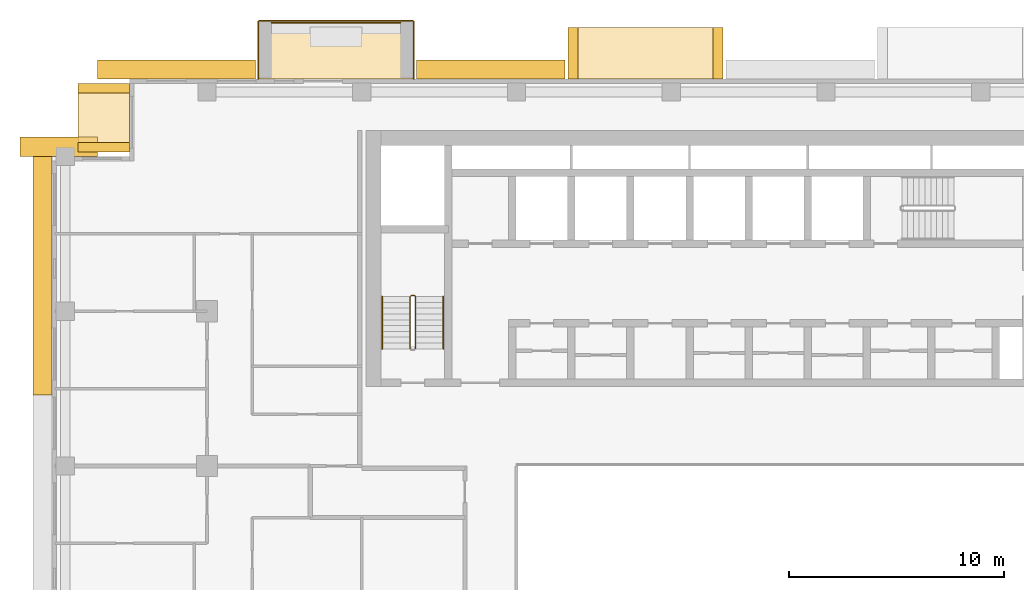
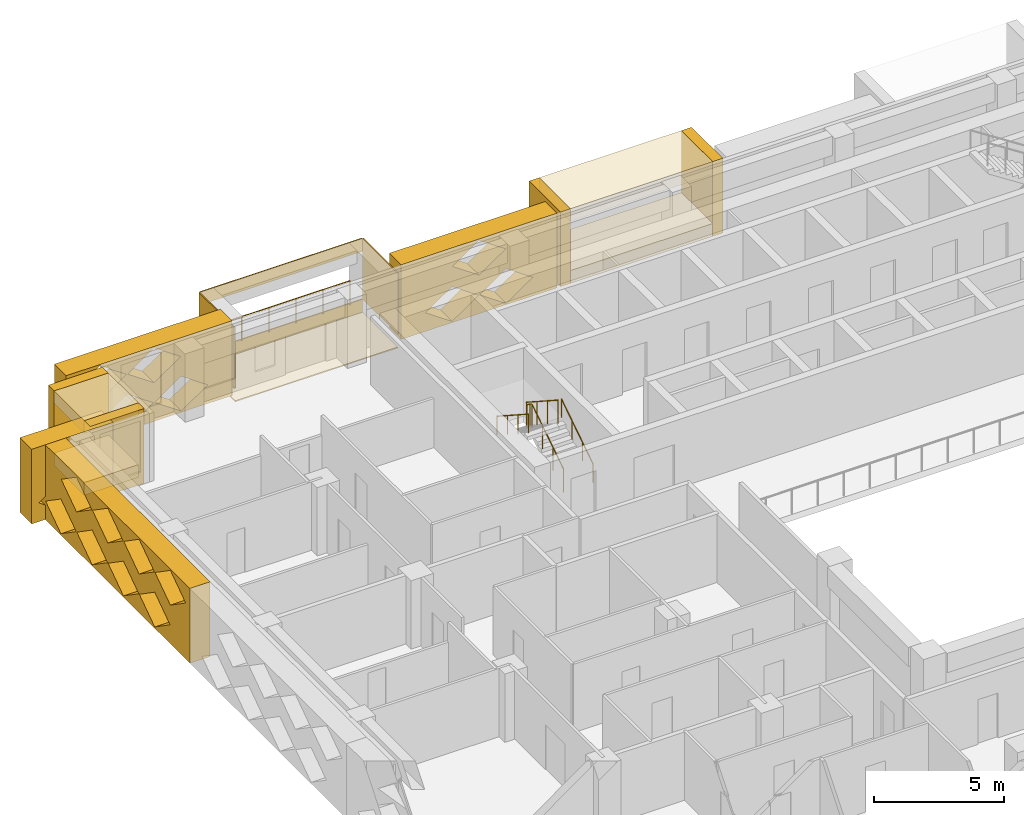
# One storey, part 18 of 20: 17 coverings, 4 railings.
"""IFC4 building model written with IfcOpenShell, lengths in metres."""

import ifcopenshell
import ifcopenshell.guid

model = None  # the IFC model being written
_history = None  # IfcOwnerHistory: only IFC2X3 demands one
_inside = {}  # id of a spatial element -> (the spatial element, [elements in it])
_under = {}  # id of a project, library or spatial element -> (it, [spatial elements below it])
_declared = {}  # id of a project -> (the project, [libraries it declares])
_typed = {}  # id of a type object -> (the type object, [elements of that type])
_made_of = {}  # id of a material, layer set ... -> (it, [elements and type objects made of it])


def new_model(schema):
    """Start an empty IFC model of exactly this schema.

    Asked for "IFC4X3", IfcOpenShell would pick the latest addendum, in which some entities
    have other attributes; the version numbers below select the first issue.
    IFC2X3 requires an IfcOwnerHistory on every rooted entity: one is made here for all.
    """
    global model, _history
    if schema == "IFC4X3":
        model = ifcopenshell.file(schema_version=(4, 3, 0, 0))
    else:
        model = ifcopenshell.file(schema=schema)
    _inside.clear()
    _under.clear()
    _declared.clear()
    _typed.clear()
    _made_of.clear()
    _history = None
    if model.schema == "IFC2X3":
        org = make("IfcOrganization", Name="unknown")
        user = make(
            "IfcPersonAndOrganization",
            ThePerson=make("IfcPerson", FamilyName="unknown"),
            TheOrganization=org,
        )
        app = make(
            "IfcApplication",
            ApplicationDeveloper=org,
            Version="unknown",
            ApplicationFullName="unknown",
            ApplicationIdentifier="unknown",
        )
        _history = make(
            "IfcOwnerHistory",
            OwningUser=user,
            OwningApplication=app,
            ChangeAction="ADDED",
            CreationDate=0,
        )
    return model


def make(cls, **values):
    """One entity of the class cls with the attributes given. An attribute that is None is left unset."""
    return model.create_entity(
        cls, **{name: value for name, value in values.items() if value is not None}
    )


def rooted(cls, **values):
    """An entity with a GlobalId (a new one), such as an element, a storey or a relation."""
    return make(cls, GlobalId=ifcopenshell.guid.new(), OwnerHistory=_history, **values)


def si_unit(unit_type, name, prefix=None):
    """IfcSIUnit, for example si_unit("LENGTHUNIT", "METRE", prefix="MILLI")."""
    return make("IfcSIUnit", UnitType=unit_type, Prefix=prefix, Name=name)


def assignment(units):
    """IfcUnitAssignment: the units of a project."""
    return None if units is None else make("IfcUnitAssignment", Units=units)


def point(xyz):
    """IfcCartesianPoint."""
    return None if xyz is None else make("IfcCartesianPoint", Coordinates=xyz)


def direction(xyz):
    """IfcDirection."""
    return None if xyz is None else make("IfcDirection", DirectionRatios=xyz)


def frame(location, z_axis=None, x_axis=None):
    """IfcAxis2Placement3D, a coordinate frame: its origin and axes. An axis left out is left unset."""
    return make(
        "IfcAxis2Placement3D",
        Location=point(location),
        Axis=direction(z_axis),
        RefDirection=direction(x_axis),
    )


def frame_2d(location, x_axis=None):
    """IfcAxis2Placement2D, a coordinate frame in the plane: its origin and x axis."""
    return make(
        "IfcAxis2Placement2D", Location=point(location), RefDirection=direction(x_axis)
    )


def origin():
    """The frame at (0, 0, 0) with its axes left unset."""
    return frame((0.0, 0.0, 0.0))


def origin_2d():
    """The frame at (0, 0) in the plane with its x axis left unset."""
    return frame_2d((0.0, 0.0))


def place(relative_to, where):
    """IfcLocalPlacement: puts the frame where relative to a parent placement (None: the world)."""
    return make(
        "IfcLocalPlacement", PlacementRelTo=relative_to, RelativePlacement=where
    )


def context(
    kind, dimensions, precision=None, world=None, true_north=None, identifier=None
):
    """IfcGeometricRepresentationContext, for example the 3D "Model" context."""
    return make(
        "IfcGeometricRepresentationContext",
        ContextIdentifier=identifier,
        ContextType=kind,
        CoordinateSpaceDimension=dimensions,
        Precision=precision,
        WorldCoordinateSystem=world,
        TrueNorth=true_north,
    )


def subcontext(parent, identifier, kind, view, scale=None):
    """IfcGeometricRepresentationSubContext, for example "Body" below "Model"."""
    return make(
        "IfcGeometricRepresentationSubContext",
        ContextIdentifier=identifier,
        ContextType=kind,
        ParentContext=parent,
        TargetScale=scale,
        TargetView=view,
    )


def project(units=None, contexts=None):
    """IfcProject with its units and contexts."""
    return rooted(
        "IfcProject",
        Name="project",
        RepresentationContexts=contexts,
        UnitsInContext=assignment(units),
    )


def spatial(cls, under=None, at=None, **own):
    """A site, building, storey or space (cls), placed at a placement, below another one or the project."""
    s = rooted(cls, ObjectPlacement=at, **own)
    if under is not None:
        _under.setdefault(under.id(), (under, []))[1].append(s)
    return s


def polyline(points):
    """IfcPolyline through the points."""
    return make("IfcPolyline", Points=[point(p) for p in points])


def profile(cls, at=None, kind="AREA", **sizes):
    """A parametric profile (cls). Its sizes go by their IFC names, for example OverallWidth=200.0."""
    return make(cls, ProfileType=kind, Position=at, **sizes)


def circle(**sizes):
    """IfcCircleProfileDef."""
    return profile("IfcCircleProfileDef", **sizes)


def outline(outer, holes=None, kind="AREA"):
    """IfcArbitraryClosedProfileDef: a profile drawn as a closed curve; with holes, ...WithVoids."""
    if holes is None:
        return make("IfcArbitraryClosedProfileDef", ProfileType=kind, OuterCurve=outer)
    return make(
        "IfcArbitraryProfileDefWithVoids",
        ProfileType=kind,
        OuterCurve=outer,
        InnerCurves=holes,
    )


def extrude(swept, where, along, depth):
    """IfcExtrudedAreaSolid: the profile swept, set in the frame where, extruded along a direction by depth."""
    return make(
        "IfcExtrudedAreaSolid",
        SweptArea=swept,
        Position=where,
        ExtrudedDirection=direction(along),
        Depth=depth,
    )


def shape(context_of_items, identifier, shape_type, items):
    """IfcShapeRepresentation: the items that make up one representation, for example the "Body"."""
    return make(
        "IfcShapeRepresentation",
        ContextOfItems=context_of_items,
        RepresentationIdentifier=identifier,
        RepresentationType=shape_type,
        Items=items,
    )


def material(Name=None, Category=None):
    """IfcMaterial."""
    return make("IfcMaterial", Name=Name, Category=Category)


def layer(
    of_material, thickness, ventilated=None, Name=None, Category=None, Priority=None
):
    """IfcMaterialLayer: one layer of a wall or slab, of a material (None: an air gap)."""
    return make(
        "IfcMaterialLayer",
        Material=of_material,
        LayerThickness=thickness,
        IsVentilated=ventilated,
        Name=Name,
        Category=Category,
        Priority=Priority,
    )


def layer_set(layers, Name=None):
    """IfcMaterialLayerSet."""
    return make("IfcMaterialLayerSet", MaterialLayers=layers, LayerSetName=Name)


def made_of(thing, what):
    """Note that an element or type object is made of a material, layer set ...; save() writes the relation."""
    if what is not None:
        _made_of.setdefault(what.id(), (what, []))[1].append(thing)
    return thing


def type_object(cls, material=None, **own):
    """A type object (cls), such as IfcWallType, which elements share."""
    return made_of(rooted(cls, **own), material)


def element(
    cls,
    number,
    at=None,
    inside=None,
    cuts=None,
    type_object=None,
    material=None,
    context=None,
    identifier="Body",
    shape_type=None,
    held_by="IfcProductDefinitionShape",
    body=None,
    shapes=None,
    **own,
):
    """One element of the class cls, such as IfcWall. Its Tag is "e" and its number.

    at: its placement. inside: the storey or other place that contains it. cuts: it is an
    opening in that element (IfcRelVoidsElement). A single representation is given by context,
    identifier, shape_type and body (its items); several are given by shapes. held_by: the class
    of the entity that holds the representations. save() writes the other relations.
    """
    e = rooted(cls, Tag="e%d" % number, ObjectPlacement=at, **own)
    if body is not None:
        shapes = [shape(context, identifier, shape_type, body)]
    if shapes is not None:
        e.Representation = make(held_by, Representations=shapes)
    if inside is not None:
        _inside.setdefault(inside.id(), (inside, []))[1].append(e)
    if cuts is not None:
        rooted(
            "IfcRelVoidsElement", RelatingBuildingElement=cuts, RelatedOpeningElement=e
        )
    if type_object is not None:
        _typed.setdefault(type_object.id(), (type_object, []))[1].append(e)
    return made_of(e, material)


def aggregate(whole, parts):
    """IfcRelAggregates: a whole, such as a stair, and the parts it consists of."""
    return rooted("IfcRelAggregates", RelatingObject=whole, RelatedObjects=parts)


def save(model, path):
    """Write the relations noted so far, then the file.

    IfcRelAggregates (storeys below a building ...), IfcRelContainedInSpatialStructure (elements
    in a storey), IfcRelDefinesByType, IfcRelAssociatesMaterial and IfcRelDeclares: one each for
    every whole, place, type object, material and project.
    """
    for whole, parts in _under.values():
        aggregate(whole, parts)
    for where, things in _inside.values():
        rooted(
            "IfcRelContainedInSpatialStructure",
            RelatedElements=things,
            RelatingStructure=where,
        )
    for kind, things in _typed.values():
        rooted("IfcRelDefinesByType", RelatedObjects=things, RelatingType=kind)
    for what, things in _made_of.values():
        rooted("IfcRelAssociatesMaterial", RelatedObjects=things, RelatingMaterial=what)
    for by, libraries in _declared.values():
        rooted("IfcRelDeclares", RelatingContext=by, RelatedDefinitions=libraries)
    model.write(path)


model = new_model("IFC4")

# Units and contexts
model_context = context("Model", 3, precision=1e-05, world=origin(), true_north=direction((0.0, 1.0)))
body_context = subcontext(model_context, "Body", "Model", "MODEL_VIEW")
ifc_project = project(units=[si_unit("LENGTHUNIT", "METRE"), si_unit("AREAUNIT", "SQUARE_METRE"), si_unit("VOLUMEUNIT", "CUBIC_METRE"), si_unit("PLANEANGLEUNIT", "RADIAN"), si_unit("MASSUNIT", "GRAM", prefix="KILO")], contexts=[model_context])

# Site, building, storey
site_placement = place(None, origin())
site = spatial("IfcSite", under=ifc_project, at=site_placement, CompositionType="ELEMENT")
building_placement = place(site_placement, origin())
building = spatial("IfcBuilding", under=site, at=building_placement, Name="Saffron Iwan Residences", CompositionType="ELEMENT")
storey_placement = place(building_placement, frame((0.0, 0.0, 146.5)))
storey = spatial("IfcBuildingStorey", under=building, at=storey_placement, Name="L38", CompositionType="ELEMENT", Elevation=146.5)

# Railing
ifc_material_1 = material(Name="Stainless steel 316", Category="steel")
railing_type_1 = type_object("IfcRailingType", Name="BALCONY GUARD 1150", PredefinedType="GUARDRAIL", material=ifc_material_1)
railing_1_placement = place(storey_placement, frame((30.60009765625, 83.02490234375, 0.0)))
element("IfcRailing", 1, at=railing_1_placement, inside=storey, type_object=railing_type_1, Name="Balcony guard L38 F5-3", PredefinedType="GUARDRAIL", context=body_context, shape_type="SweptSolid", body=[
    extrude(circle(Radius=0.02392578125, at=origin_2d()), frame((0.0, 0.0, 1.1259765625), z_axis=(-1.0, 0.0, 0.0), x_axis=(0.0, -1.0, 0.0)), (0.0, 0.0, 1.0), 6.0),
    extrude(circle(Radius=0.02099609375, at=origin_2d()), origin(), (0.0, 0.0, 1.0), 1.101806640625),
    extrude(circle(Radius=0.02099609375, at=origin_2d()), frame((-1.199951171875, 0.0, 0.0)), (0.0, 0.0, 1.0), 1.101806640625),
    extrude(circle(Radius=0.02099609375, at=origin_2d()), frame((-2.39990234375, 0.0, 0.0)), (0.0, 0.0, 1.0), 1.101806640625),
    extrude(circle(Radius=0.02099609375, at=origin_2d()), frame((-3.60009765625, 0.0, 0.0)), (0.0, 0.0, 1.0), 1.101806640625),
    extrude(circle(Radius=0.02099609375, at=origin_2d()), frame((-4.800048828125, 0.0, 0.0)), (0.0, 0.0, 1.0), 1.101806640625),
    extrude(circle(Radius=0.02099609375, at=origin_2d()), frame((-6.0, 0.0, 0.0)), (0.0, 0.0, 1.0), 1.101806640625),
])

# Coverings
ifc_material_2 = material(Name="Precast concrete C40/50 white painted", Category="concrete")
ifc_layer = layer(ifc_material_2, 0.050048828125)
ifc_layer_set = layer_set([ifc_layer], Name="Precast concrete C40/50 white painted")
covering_type_1 = type_object("IfcCoveringType", Name="FRAME SKIN PRECAST WHITE 50", PredefinedType="CLADDING", material=ifc_layer_set)
for number, where, name in (
    (2, (0.0, 0.0, -0.60009765625), "Frame skin slab edge L38 F5-3"),
    (3, (0.0, 0.0, 2.25), "Frame skin fascia L38 F5-3"),
):
    element("IfcCovering", number, at=place(storey_placement, frame(where)), inside=storey, type_object=covering_type_1, Name=name, PredefinedType="CLADDING", context=body_context, shape_type="SweptSolid", body=[
        extrude(outline(polyline([(31.199951171875, 83.14990234375), (24.0, 83.14990234375), (24.0, 83.10009765625), (31.199951171875, 83.10009765625), (31.199951171875, 83.14990234375)])), origin(), (0.0, 0.0, 1.0), 0.60009765625),
    ])
covering_1_placement = place(storey_placement, frame((0.0, 0.0, -0.64990234375)))
element("IfcCovering", 4, at=covering_1_placement, inside=storey, type_object=covering_type_1, Name="Frame skin soffit L38 F5-3", PredefinedType="CLADDING", context=body_context, shape_type="SweptSolid", body=[
    extrude(outline(polyline([(31.199951171875, 83.10009765625), (24.0, 83.10009765625), (24.0, 80.39990234375), (31.199951171875, 80.39990234375), (31.199951171875, 83.10009765625)])), origin(), (0.0, 0.0, 1.0), 0.0498046875),
])
covering_2_placement = place(storey_placement, origin())
element("IfcCovering", 5, at=covering_2_placement, inside=storey, type_object=covering_type_1, Name="Frame skin fin L38 F5-3a", PredefinedType="CLADDING", context=body_context, shape_type="SweptSolid", body=[
    extrude(outline(polyline([(31.25, 83.10009765625), (31.199951171875, 83.10009765625), (31.199951171875, 80.39990234375), (31.25, 80.39990234375), (31.25, 83.10009765625)])), origin(), (0.0, 0.0, 1.0), 2.85009765625),
])
covering_3_placement = place(storey_placement, origin())
element("IfcCovering", 6, at=covering_3_placement, inside=storey, type_object=covering_type_1, Name="Frame skin fin L38 F5-3b", PredefinedType="CLADDING", context=body_context, shape_type="SweptSolid", body=[
    extrude(outline(polyline([(24.0, 83.10009765625), (23.949951171875, 83.10009765625), (23.949951171875, 80.39990234375), (24.0, 80.39990234375), (24.0, 83.10009765625)])), origin(), (0.0, 0.0, 1.0), 2.85009765625),
])
ifc_material_3 = material(Name="Precast concrete C40/50", Category="concrete")
covering_type_2 = type_object("IfcCoveringType", Name="OUTER SKIN LATTICE SCREEN", PredefinedType="CLADDING", material=ifc_material_3)
covering_4_placement = place(storey_placement, frame((38.25, 80.39990234375, -0.300048828125), z_axis=(0.0, 1.0, 0.0), x_axis=(-1.0, 0.0, 0.0)))
element("IfcCovering", 7, at=covering_4_placement, inside=storey, type_object=covering_type_2, Name="OUTER SKIN lattice screen L38 F5.3", PredefinedType="CLADDING", context=body_context, shape_type="SweptSolid", body=[
    extrude(outline(polyline([(0.0, 0.0), (6.89990234375, 0.0), (6.89990234375, 3.5), (0.0, 3.5), (0.0, 0.0)]), holes=[polyline([(1.070068359375, 0.875), (2.25, 0.06005859375), (3.429931640625, 0.875), (2.25, 1.68994140625), (1.070068359375, 0.875)]), polyline([(3.469970703125, 0.875), (4.64990234375, 0.06005859375), (5.830078125, 0.875), (4.64990234375, 1.68994140625), (3.469970703125, 0.875)]), polyline([(2.27001953125, 2.625), (3.449951171875, 1.81005859375), (4.6298828125, 2.625), (3.449951171875, 3.43994140625), (2.27001953125, 2.625)])]), origin(), (0.0, 0.0, 1.0), 0.900146484375),
])
covering_5_placement = place(storey_placement, frame((23.85009765625, 80.39990234375, -0.300048828125), z_axis=(0.0, 1.0, 0.0), x_axis=(-1.0, 0.0, 0.0)))
element("IfcCovering", 8, at=covering_5_placement, inside=storey, type_object=covering_type_2, Name="OUTER SKIN lattice screen L38 F5.4", PredefinedType="CLADDING", context=body_context, shape_type="SweptSolid", body=[
    extrude(outline(polyline([(0.0, 0.0), (7.35009765625, 0.0), (7.35009765625, 3.5), (0.0, 3.5), (0.0, 0.0)]), holes=[polyline([(1.070068359375, 0.875), (2.25, 0.06005859375), (3.429931640625, 0.875), (2.25, 1.68994140625), (1.070068359375, 0.875)]), polyline([(3.469970703125, 0.875), (4.64990234375, 0.06005859375), (5.830078125, 0.875), (4.64990234375, 1.68994140625), (3.469970703125, 0.875)]), polyline([(2.27001953125, 2.625), (3.449951171875, 1.81005859375), (4.6298828125, 2.625), (3.449951171875, 3.43994140625), (2.27001953125, 2.625)]), polyline([(4.669921875, 2.625), (5.85009765625, 1.81005859375), (7.030029296875, 2.625), (5.85009765625, 3.43994140625), (4.669921875, 2.625)])]), origin(), (0.0, 0.0, 1.0), 0.900146484375),
])
covering_6_placement = place(storey_placement, frame((16.5, 76.800048828125, -0.300048828125), z_axis=(0.0, 1.0, 0.0), x_axis=(-1.0, 0.0, 0.0)))
element("IfcCovering", 9, at=covering_6_placement, inside=storey, type_object=covering_type_2, Name="OUTER SKIN lattice screen L38 F7.0", PredefinedType="CLADDING", context=body_context, shape_type="SweptSolid", body=[
    extrude(outline(polyline([(0.0, 0.0), (3.60009765625, 0.0), (3.60009765625, 3.5), (0.0, 3.5), (0.0, 0.0)]), holes=[polyline([(0.919921875, 0.875), (2.10009765625, 0.06005859375), (3.280029296875, 0.875), (2.10009765625, 1.68994140625), (0.919921875, 0.875)])]), origin(), (0.0, 0.0, 1.0), 0.89990234375),
])
covering_7_placement = place(storey_placement, frame((14.39990234375, 77.699951171875, -0.300048828125), z_axis=(-1.0, 0.0, 0.0), x_axis=(0.0, -1.0, 0.0)))
element("IfcCovering", 10, at=covering_7_placement, inside=storey, type_object=covering_type_2, Name="OUTER SKIN lattice screen L38 F8.0", PredefinedType="CLADDING", context=body_context, shape_type="SweptSolid", body=[
    extrude(outline(polyline([(0.0, 0.0), (12.0, 0.0), (12.0, 3.5), (0.0, 3.5), (0.0, 0.0)]), holes=[polyline([(0.919921875, 0.875), (2.10009765625, 0.06005859375), (3.280029296875, 0.875), (2.10009765625, 1.68994140625), (0.919921875, 0.875)]), polyline([(3.320068359375, 0.875), (4.5, 0.06005859375), (5.679931640625, 0.875), (4.5, 1.68994140625), (3.320068359375, 0.875)]), polyline([(5.719970703125, 0.875), (6.89990234375, 0.06005859375), (8.080078125, 0.875), (6.89990234375, 1.68994140625), (5.719970703125, 0.875)]), polyline([(8.1201171875, 0.875), (9.300048828125, 0.06005859375), (10.47998046875, 0.875), (9.300048828125, 1.68994140625), (8.1201171875, 0.875)]), polyline([(2.1201171875, 2.625), (3.300048828125, 1.81005859375), (4.47998046875, 2.625), (3.300048828125, 3.43994140625), (2.1201171875, 2.625)]), polyline([(4.52001953125, 2.625), (5.699951171875, 1.81005859375), (6.8798828125, 2.625), (5.699951171875, 3.43994140625), (4.52001953125, 2.625)]), polyline([(6.919921875, 2.625), (8.10009765625, 1.81005859375), (9.280029296875, 2.625), (8.10009765625, 3.43994140625), (6.919921875, 2.625)]), polyline([(9.320068359375, 2.625), (10.5, 1.81005859375), (11.679931640625, 2.625), (10.5, 3.43994140625), (9.320068359375, 2.625)])]), origin(), (0.0, 0.0, 1.0), 0.89990234375),
])

# Railings
ifc_material_4 = material(Name="Steel S355", Category="steel")
railing_type_2 = type_object("IfcRailingType", Name="Stair guard 1100", PredefinedType="GUARDRAIL", material=ifc_material_4)
railing_2_placement = place(storey_placement, frame((31.300048828125, 67.85009765625, 0.175048828125)))
element("IfcRailing", 11, at=railing_2_placement, inside=storey, type_object=railing_type_2, Name="L38 ST-W stair guard 1", PredefinedType="GUARDRAIL", context=body_context, shape_type="SweptSolid", body=[
    extrude(circle(Radius=0.02392578125, at=origin_2d()), frame((0.0, 0.0, 1.076171875), z_axis=(0.0, 0.839153699163, 0.543894354798), x_axis=(-1.0, 0.0, 0.0)), (0.0, 0.0, 1.0), 2.895751953125),
    extrude(circle(Radius=0.02392578125, at=origin_2d()), frame((0.0, 2.429931640625, 2.65087890625), z_axis=(-0.707106781187, 0.707106781187, 0.0), x_axis=(-0.707106781187, -0.707106781187, 0.0)), (0.0, 0.0, 1.0), 0.07080078125),
    extrude(circle(Radius=0.02392578125, at=origin_2d()), frame((-0.050048828125, 2.47998046875, 2.65087890625), z_axis=(-1.0, 0.0, 0.0), x_axis=(0.0, -1.0, 0.0)), (0.0, 0.0, 1.0), 0.14990234375),
    extrude(circle(Radius=0.02392578125, at=origin_2d()), frame((-0.199951171875, 2.47998046875, 2.65087890625), z_axis=(-0.265065253269, -0.265065253269, 0.927081885822), x_axis=(0.707106781187, -0.707106781187, 0.0)), (0.0, 0.0, 1.0), 0.188720703125),
    extrude(circle(Radius=0.02392578125, at=origin_2d()), frame((-0.25, 2.429931640625, 2.826171875), z_axis=(0.0, -0.839153699163, 0.543894354798), x_axis=(1.0, 0.0, 0.0)), (0.0, 0.0, 1.0), 2.895751953125),
    extrude(circle(Radius=0.02099609375, at=origin_2d()), origin(), (0.0, 0.0, 1.0), 1.052001953125),
    extrude(circle(Radius=0.02099609375, at=origin_2d()), frame((0.0, 0.81005859375, 0.52490234375)), (0.0, 0.0, 1.0), 1.052001953125),
    extrude(circle(Radius=0.02099609375, at=origin_2d()), frame((0.0, 1.619873046875, 1.050048828125)), (0.0, 0.0, 1.0), 1.052001953125),
    extrude(circle(Radius=0.02099609375, at=origin_2d()), frame((0.0, 2.429931640625, 1.574951171875)), (0.0, 0.0, 1.0), 1.052001953125),
    extrude(circle(Radius=0.02099609375, at=origin_2d()), frame((-0.050048828125, 2.47998046875, 1.574951171875)), (0.0, 0.0, 1.0), 1.052001953125),
    extrude(circle(Radius=0.02099609375, at=origin_2d()), frame((-0.199951171875, 2.47998046875, 1.574951171875)), (0.0, 0.0, 1.0), 1.052001953125),
    extrude(circle(Radius=0.02099609375, at=origin_2d()), frame((-0.25, 2.429931640625, 1.75)), (0.0, 0.0, 1.0), 1.052001953125),
    extrude(circle(Radius=0.02099609375, at=origin_2d()), frame((-0.25, 1.619873046875, 2.27490234375)), (0.0, 0.0, 1.0), 1.052001953125),
    extrude(circle(Radius=0.02099609375, at=origin_2d()), frame((-0.25, 0.81005859375, 2.800048828125)), (0.0, 0.0, 1.0), 1.052001953125),
    extrude(circle(Radius=0.02099609375, at=origin_2d()), frame((-0.25, 0.0, 3.324951171875)), (0.0, 0.0, 1.0), 1.052001953125),
])
railing_type_3 = type_object("IfcRailingType", Name="Stair handrail 900", PredefinedType="HANDRAIL", material=ifc_material_1)
railing_3_placement = place(storey_placement, frame((32.60009765625, 67.85009765625, 0.175048828125)))
element("IfcRailing", 12, at=railing_3_placement, inside=storey, type_object=railing_type_3, Name="L38 ST-W stair handrail 1", PredefinedType="HANDRAIL", context=body_context, shape_type="SweptSolid", body=[
    extrude(circle(Radius=0.02392578125, at=origin_2d()), frame((0.0, 0.0, 0.8759765625), z_axis=(0.0, 0.839153699163, 0.543894354798), x_axis=(-1.0, 0.0, 0.0)), (0.0, 0.0, 1.0), 2.895751953125),
    extrude(circle(Radius=0.02099609375, at=origin_2d()), origin(), (0.0, 0.0, 1.0), 0.851806640625),
    extrude(circle(Radius=0.02099609375, at=origin_2d()), frame((0.0, 0.81005859375, 0.52490234375)), (0.0, 0.0, 1.0), 0.851806640625),
    extrude(circle(Radius=0.02099609375, at=origin_2d()), frame((0.0, 1.619873046875, 1.050048828125)), (0.0, 0.0, 1.0), 0.851806640625),
    extrude(circle(Radius=0.02099609375, at=origin_2d()), frame((0.0, 2.429931640625, 1.574951171875)), (0.0, 0.0, 1.0), 0.851806640625),
])
railing_4_placement = place(storey_placement, frame((29.75, 70.280029296875, 1.925048828125)))
element("IfcRailing", 13, at=railing_4_placement, inside=storey, type_object=railing_type_3, Name="L38 ST-W stair handrail 2", PredefinedType="HANDRAIL", context=body_context, shape_type="SweptSolid", body=[
    extrude(circle(Radius=0.02392578125, at=origin_2d()), frame((0.0, 0.0, 0.8759765625), z_axis=(0.0, -0.839153699163, 0.543894354798), x_axis=(1.0, 0.0, 0.0)), (0.0, 0.0, 1.0), 2.895751953125),
    extrude(circle(Radius=0.02099609375, at=origin_2d()), origin(), (0.0, 0.0, 1.0), 0.851806640625),
    extrude(circle(Radius=0.02099609375, at=origin_2d()), frame((0.0, -0.81005859375, 0.52490234375)), (0.0, 0.0, 1.0), 0.851806640625),
    extrude(circle(Radius=0.02099609375, at=origin_2d()), frame((0.0, -1.619873046875, 1.050048828125)), (0.0, 0.0, 1.0), 0.851806640625),
    extrude(circle(Radius=0.02099609375, at=origin_2d()), frame((0.0, -2.429931640625, 1.574951171875)), (0.0, 0.0, 1.0), 0.851806640625),
])

# Coverings
covering_type_3 = type_object("IfcCoveringType", Name="WHITE SUN FRAME PRECAST", PredefinedType="CLADDING", material=ifc_material_2)
for number, where, z_axis, x_axis, name in (
    (14, (45.60009765625, 80.39990234375, -0.300048828125), (0.0, 1.0, 0.0), (-1.0, 0.0, 0.0), "Sun frame L38 F5 37.2a"),
    (15, (38.85009765625, 80.39990234375, -0.300048828125), (0.0, 1.0, 0.0), (-1.0, 0.0, 0.0), "Sun frame L38 F5 37.2b"),
):
    element("IfcCovering", number, at=place(storey_placement, frame(where, z_axis=z_axis, x_axis=x_axis)), inside=storey, type_object=covering_type_3, Name=name, PredefinedType="CLADDING", context=body_context, shape_type="SweptSolid", body=[
        extrude(outline(polyline([(0.0, 0.0), (0.449951171875, 0.0), (0.449951171875, 3.5), (0.0, 3.5), (0.0, 0.0)])), origin(), (0.0, 0.0, 1.0), 2.400146484375),
    ])
for number, where, z_axis, x_axis, name in (
    (16, (45.14990234375, 80.39990234375, 2.60009765625), (0.0, 1.0, 0.0), (-1.0, 0.0, 0.0), "Sun frame L38 F5 37.2h"),
    (17, (45.14990234375, 80.39990234375, -0.300048828125), (0.0, 1.0, 0.0), (-1.0, 0.0, 0.0), "Sun frame L38 F5 37.2s"),
):
    element("IfcCovering", number, at=place(storey_placement, frame(where, z_axis=z_axis, x_axis=x_axis)), inside=storey, type_object=covering_type_3, Name=name, PredefinedType="CLADDING", context=body_context, shape_type="SweptSolid", body=[
        extrude(outline(polyline([(0.0, 0.0), (6.300048828125, 0.0), (6.300048828125, 0.60009765625), (0.0, 0.60009765625), (0.0, 0.0)])), origin(), (0.0, 0.0, 1.0), 2.400146484375),
    ])
for number, where, z_axis, x_axis, name in (
    (18, (18.0, 80.199951171875, -0.300048828125), (-1.0, 0.0, 0.0), (0.0, -1.0, 0.0), "Sun frame L38 F6 0.2a"),
    (19, (18.0, 77.449951171875, -0.300048828125), (-1.0, 0.0, 0.0), (0.0, -1.0, 0.0), "Sun frame L38 F6 0.2b"),
):
    element("IfcCovering", number, at=place(storey_placement, frame(where, z_axis=z_axis, x_axis=x_axis)), inside=storey, type_object=covering_type_3, Name=name, PredefinedType="CLADDING", context=body_context, shape_type="SweptSolid", body=[
        extrude(outline(polyline([(0.0, 0.0), (0.449951171875, 0.0), (0.449951171875, 3.5), (0.0, 3.5), (0.0, 0.0)])), origin(), (0.0, 0.0, 1.0), 2.39990234375),
    ])
for number, where, z_axis, x_axis, name in (
    (20, (18.0, 79.75, 2.60009765625), (-1.0, 0.0, 0.0), (0.0, -1.0, 0.0), "Sun frame L38 F6 0.2h"),
    (21, (18.0, 79.75, -0.300048828125), (-1.0, 0.0, 0.0), (0.0, -1.0, 0.0), "Sun frame L38 F6 0.2s"),
):
    element("IfcCovering", number, at=place(storey_placement, frame(where, z_axis=z_axis, x_axis=x_axis)), inside=storey, type_object=covering_type_3, Name=name, PredefinedType="CLADDING", context=body_context, shape_type="SweptSolid", body=[
        extrude(outline(polyline([(0.0, 0.0), (2.300048828125, 0.0), (2.300048828125, 0.60009765625), (0.0, 0.60009765625), (0.0, 0.0)])), origin(), (0.0, 0.0, 1.0), 2.39990234375),
    ])

save(model, "model.ifc")
